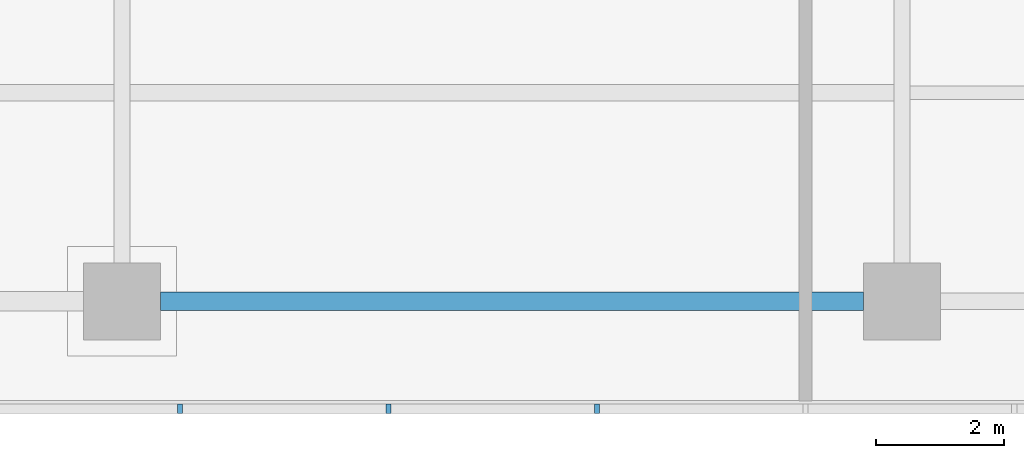
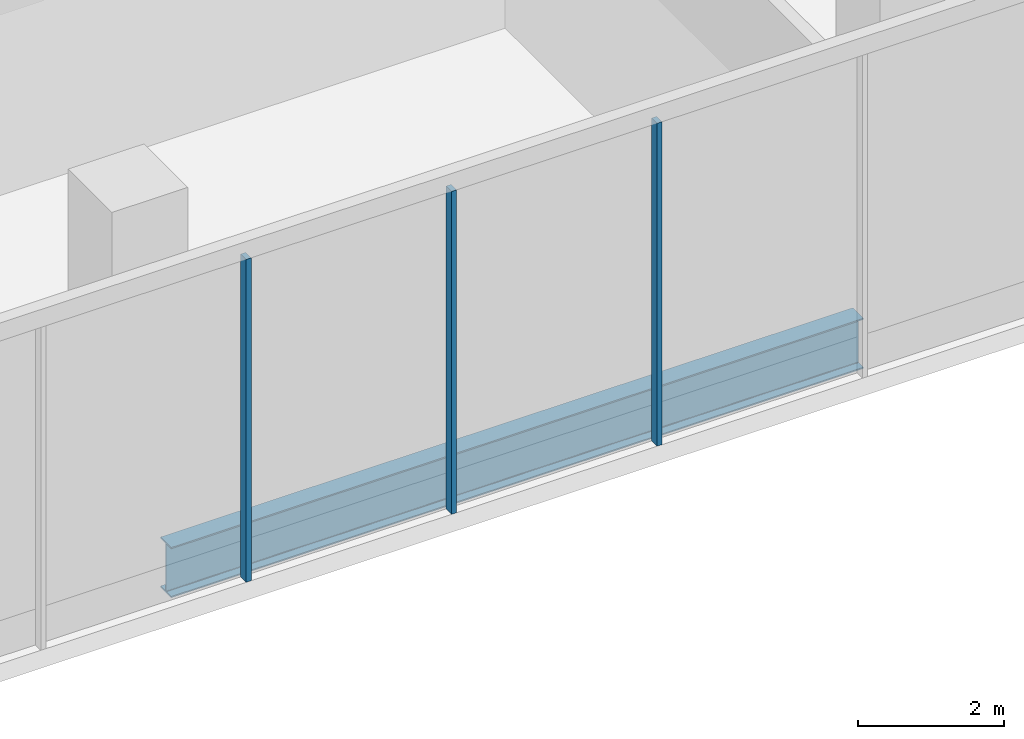
# One storey, part 13 of 41: 3 members, 1 beam, 1 element without a shape of its own.
"""IFC4 building model written with IfcOpenShell, lengths in metres."""

from ifc_helpers import new_model, si_unit, direction, frame, origin, origin_2d, place, context, subcontext, project, spatial, rectangle, i_section, extrude, source, transform, mapped, material, layer, layer_set, material_profile, profile_set, type_object, element, aggregate, save


model = new_model("IFC4")

# Units and contexts
model_context = context("Model", 3, precision=1e-05, world=origin(), true_north=direction((0.0, 1.0)))
body_context = subcontext(model_context, "Body", "Model", "MODEL_VIEW")
ifc_project = project(units=[si_unit("LENGTHUNIT", "METRE"), si_unit("AREAUNIT", "SQUARE_METRE"), si_unit("VOLUMEUNIT", "CUBIC_METRE"), si_unit("PLANEANGLEUNIT", "RADIAN"), si_unit("MASSUNIT", "GRAM", prefix="KILO")], contexts=[model_context])

# Site, building, storey
site_placement = place(None, origin())
site = spatial("IfcSite", under=ifc_project, at=site_placement, CompositionType="ELEMENT")
building_placement = place(site_placement, origin())
building = spatial("IfcBuilding", under=site, at=building_placement, Name="Trellis Farm Tower", CompositionType="ELEMENT")
storey_placement = place(building_placement, frame((0.0, 0.0, 8.0)))
storey = spatial("IfcBuildingStorey", under=building, at=storey_placement, Name="L01", CompositionType="ELEMENT", Elevation=8.0)

# Beam
ifc_material_1 = material(Name="Steel S355", Category="steel")
ifc_material_profile_1 = material_profile(ifc_material_1, i_section(OverallWidth=0.29248046875, OverallDepth=0.8408203125, WebThickness=0.0146484375, FlangeThickness=0.021728515625, FilletRadius=0.017822265625, at=origin_2d()), Name="UB 838x292x194")
ifc_profile_set_1 = profile_set([ifc_material_profile_1], Name="Steel S355")
beam_type = type_object("IfcBeamType", Name="UB 838x292x194", PredefinedType="BEAM", material=ifc_profile_set_1)
shared_shape_1 = source(origin(), body_context, "Body", "SweptSolid", [
    extrude(i_section(OverallWidth=0.29248046875, OverallDepth=0.8408203125, WebThickness=0.0146484375, FlangeThickness=0.021728515625, FilletRadius=0.017822265625, at=origin_2d()), origin(), (0.0, 0.0, 1.0), 10.949951171875),
])
beam_placement = place(storey_placement, frame((19.199951171875, -43.75, -0.72021484375), z_axis=(1.0, 0.0, 0.0), x_axis=(0.0, 1.0, 0.0)))
element("IfcBeam", 1, at=beam_placement, inside=storey, type_object=beam_type, Name="Girder", PredefinedType="BEAM", context=body_context, shape_type="MappedRepresentation", body=[
    mapped(shared_shape_1, transform((0.0, 0.0, 0.0))),
])

# Curtain wall, members
ifc_material_2 = material(Name="Aluminium and glass curtain wall", Category="aluminium")
ifc_layer = layer(ifc_material_2, 0.201904296875)
ifc_layer_set = layer_set([ifc_layer], Name="SHOPFRONT CURTAIN WALL CW2")
curtain_wall_type = type_object("IfcCurtainWallType", Name="SHOPFRONT CURTAIN WALL CW2", PredefinedType="NOTDEFINED", material=ifc_layer_set)
curtain_wall_placement = place(storey_placement, origin())
curtain_wall = element("IfcCurtainWall", 2, at=curtain_wall_placement, inside=storey, type_object=curtain_wall_type, Name="CW2 008", PredefinedType="NOTDEFINED")
ifc_material_3 = material(Name="Aluminium extrusion 6063-T6", Category="aluminium")
ifc_material_profile_2 = material_profile(ifc_material_3, rectangle(XDim=0.080078125, YDim=0.14990234375, at=origin_2d()), Name="MULLION 80x150")
ifc_profile_set_2 = profile_set([ifc_material_profile_2], Name="Aluminium extrusion 6063-T6")
member_type = type_object("IfcMemberType", Name="CW2 MULLION 80x150", PredefinedType="MULLION", material=ifc_profile_set_2)
shared_shape_2 = source(origin(), body_context, "Body", "SweptSolid", [
    extrude(rectangle(XDim=0.080078125, YDim=0.14990234375, at=origin_2d()), origin(), (0.0, 0.0, 1.0), 5.39990234375),
])
member_1_placement = place(storey_placement, frame((19.5, -45.425048828125, 0.0), z_axis=(0.0, 0.0, 1.0), x_axis=(1.0, 0.0, 0.0)))
member_1 = element("IfcMember", 3, at=member_1_placement, type_object=member_type, Name="MU2 008-04", PredefinedType="MULLION", context=body_context, shape_type="MappedRepresentation", body=[
    mapped(shared_shape_2, transform((0.0, 0.0, 0.0))),
])
member_2_placement = place(storey_placement, frame((22.75, -45.425048828125, 0.0), z_axis=(0.0, 0.0, 1.0), x_axis=(1.0, 0.0, 0.0)))
member_2 = element("IfcMember", 4, at=member_2_placement, type_object=member_type, Name="MU2 008-05", PredefinedType="MULLION", context=body_context, shape_type="MappedRepresentation", body=[
    mapped(shared_shape_2, transform((0.0, 0.0, 0.0))),
])
member_3_placement = place(storey_placement, frame((26.0, -45.425048828125, 0.0), z_axis=(0.0, 0.0, 1.0), x_axis=(1.0, 0.0, 0.0)))
member_3 = element("IfcMember", 5, at=member_3_placement, type_object=member_type, Name="MU2 008-06", PredefinedType="MULLION", context=body_context, shape_type="MappedRepresentation", body=[
    mapped(shared_shape_2, transform((0.0, 0.0, 0.0))),
])
aggregate(curtain_wall, [member_1, member_2, member_3])

save(model, "model.ifc")
